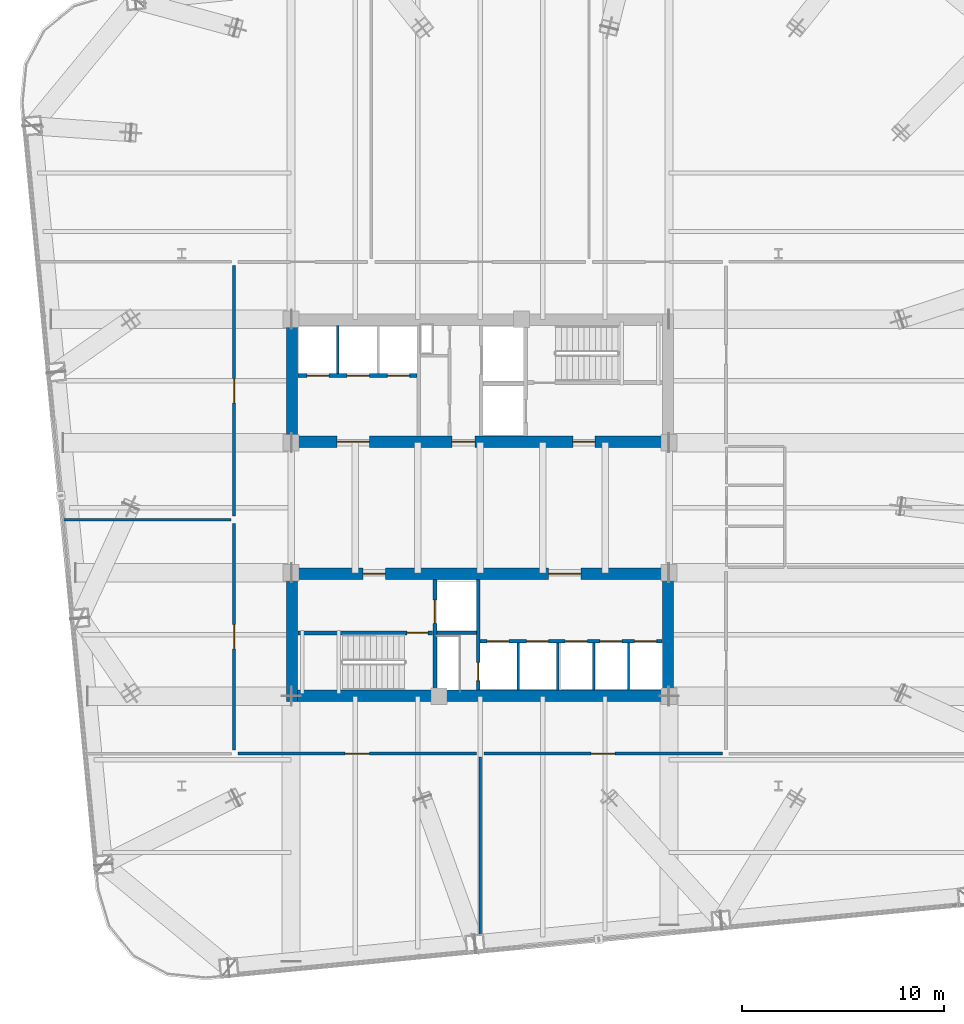
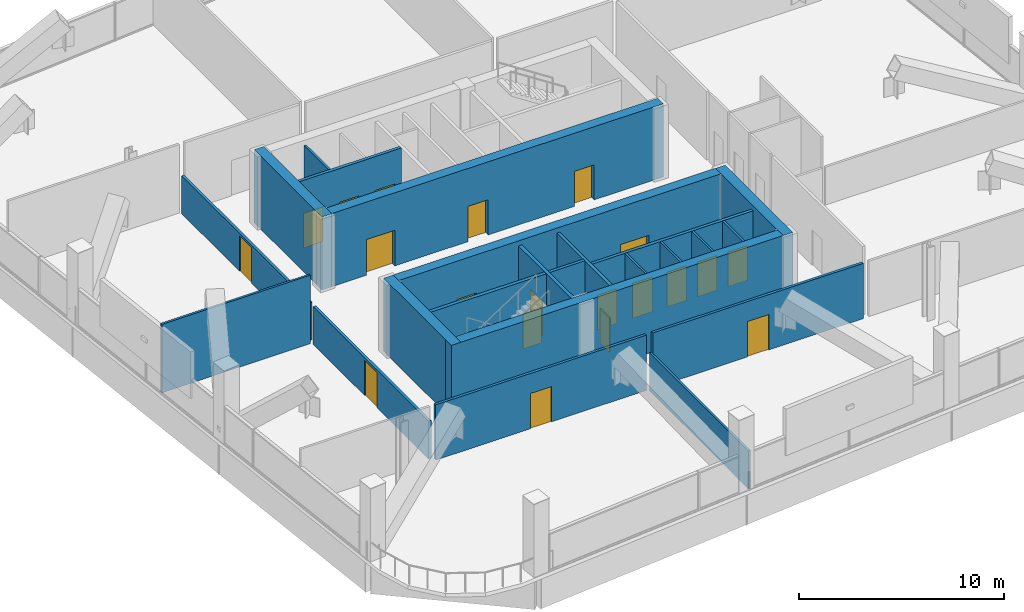
# One storey, part 25 of 30: 23 walls, 20 doors, 20 openings.
"""IFC4 building model written with IfcOpenShell, lengths in metres."""

from ifc_helpers import new_model, si_unit, direction, frame, frame_2d, origin, place, context, subcontext, project, spatial, rectangle, extrude, material, layer, layer_set, type_object, element, fill, save


model = new_model("IFC4")

# Units and contexts
model_context = context("Model", 3, precision=1e-05, world=origin(), true_north=direction((0.0, 1.0)))
body_context = subcontext(model_context, "Body", "Model", "MODEL_VIEW")
ifc_project = project(units=[si_unit("LENGTHUNIT", "METRE"), si_unit("AREAUNIT", "SQUARE_METRE"), si_unit("VOLUMEUNIT", "CUBIC_METRE"), si_unit("PLANEANGLEUNIT", "RADIAN"), si_unit("MASSUNIT", "GRAM", prefix="KILO")], contexts=[model_context])

# Site, building, storey
site_placement = place(None, origin())
site = spatial("IfcSite", under=ifc_project, at=site_placement, CompositionType="ELEMENT")
building_placement = place(site_placement, origin())
building = spatial("IfcBuilding", under=site, at=building_placement, Name="Qhalaya Broadcast Tower", CompositionType="ELEMENT")
storey_placement = place(building_placement, frame((0.0, 0.0, 96.89990234375)))
storey = spatial("IfcBuildingStorey", under=building, at=storey_placement, Name="L28", CompositionType="ELEMENT", Elevation=96.89990234375)

# Wall, opening, door
ifc_material_1 = material(Name="Gypsum Acoustic Partition")
ifc_layer_1 = layer(ifc_material_1, 0.14990234375, Name="Gypsum Acoustic Partition")
ifc_layer_set_1 = layer_set([ifc_layer_1], Name="Gypsum Acoustic Partition")
wall_type_1 = type_object("IfcWallType", Name="Corridor & Tenancy Acoustic Partition 150", PredefinedType="PARTITIONING", material=ifc_layer_set_1)
wall_1_placement = place(storey_placement, frame((-12.02001953125, -11.60009765625, 0.0), z_axis=(0.0, 0.0, 1.0), x_axis=(1.0, 0.0, 0.0)))
wall_1 = element("IfcWall", 1, at=wall_1_placement, inside=storey, type_object=wall_type_1, Name="L28 Partition Wall W-COR-04", PredefinedType="PARTITIONING", context=body_context, shape_type="SweptSolid", body=[
    extrude(rectangle(XDim=11.840087890625, YDim=0.14990234375, at=frame_2d((5.919921875, 0.0))), origin(), (0.0, 0.0, 1.0), 3.2880859375),
])
opening_1_placement = place(wall_1_placement, frame((5.320068359375, 0.0, 0.0)))
opening_1 = element("IfcOpeningElement", 2, at=opening_1_placement, cuts=wall_1, Name="Opening D11", PredefinedType="OPENING", context=body_context, shape_type="SweptSolid", body=[
    extrude(rectangle(XDim=1.199951171875, YDim=2.10009765625, at=frame_2d((0.60009765625, 1.050048828125))), frame((0.0, 0.0869140625, 0.0), z_axis=(0.0, -1.0, 0.0), x_axis=(1.0, 0.0, 0.0)), (0.0, 0.0, 1.0), 0.173828125),
])
ifc_material_2 = material(Name="Anodised Aluminium Glazed Door", Category="aluminium")
door_type_1 = type_object("IfcDoorType", Name="Conference, Boardroom & Studio Control Door D11", OperationType="NOTDEFINED", PredefinedType="DOOR", material=ifc_material_2)
door_1_placement = place(opening_1_placement, origin())
door_1 = element("IfcDoor", 3, at=door_1_placement, inside=storey, type_object=door_type_1, Name="L28 Door D-RM04", OperationType="SINGLE_SWING_LEFT", OverallHeight=2.10009765625, OverallWidth=1.199951171875, PredefinedType="DOOR", context=body_context, shape_type="SweptSolid", body=[
    extrude(rectangle(XDim=1.199951171875, YDim=2.10009765625, at=frame_2d((0.60009765625, 1.050048828125))), frame((0.0, 0.02490234375, 0.0), z_axis=(0.0, -1.0, 0.0), x_axis=(1.0, 0.0, 0.0)), (0.0, 0.0, 1.0), 0.050048828125),
])
fill(opening_1, door_1)

wall_2_placement = place(storey_placement, frame((0.179931640625, -11.60009765625, 0.0), z_axis=(0.0, 0.0, 1.0), x_axis=(1.0, 0.0, 0.0)))
wall_2 = element("IfcWall", 4, at=wall_2_placement, inside=storey, type_object=wall_type_1, Name="L28 Partition Wall W-COR-05", PredefinedType="PARTITIONING", context=body_context, shape_type="SweptSolid", body=[
    extrude(rectangle(XDim=11.840087890625, YDim=0.14990234375, at=frame_2d((5.919921875, 0.0))), origin(), (0.0, 0.0, 1.0), 3.2880859375),
])
opening_2_placement = place(wall_2_placement, frame((5.320068359375, 0.0, 0.0)))
opening_2 = element("IfcOpeningElement", 5, at=opening_2_placement, cuts=wall_2, Name="Opening D11", PredefinedType="OPENING", context=body_context, shape_type="SweptSolid", body=[
    extrude(rectangle(XDim=1.199951171875, YDim=2.10009765625, at=frame_2d((0.60009765625, 1.050048828125))), frame((0.0, 0.0869140625, 0.0), z_axis=(0.0, -1.0, 0.0), x_axis=(1.0, 0.0, 0.0)), (0.0, 0.0, 1.0), 0.173828125),
])
door_2_placement = place(opening_2_placement, origin())
door_2 = element("IfcDoor", 6, at=door_2_placement, inside=storey, type_object=door_type_1, Name="L28 Door D-RM05", OperationType="SINGLE_SWING_RIGHT", OverallHeight=2.10009765625, OverallWidth=1.199951171875, PredefinedType="DOOR", context=body_context, shape_type="SweptSolid", body=[
    extrude(rectangle(XDim=1.199951171875, YDim=2.10009765625, at=frame_2d((0.60009765625, 1.050048828125))), frame((0.0, 0.02490234375, 0.0), z_axis=(0.0, -1.0, 0.0), x_axis=(1.0, 0.0, 0.0)), (0.0, 0.0, 1.0), 0.050048828125),
])
fill(opening_2, door_2)

wall_3_placement = place(storey_placement, frame((-12.199951171875, -11.419921875, 0.0), z_axis=(0.0, 0.0, 1.0), x_axis=(0.0, 1.0, 0.0)))
wall_3 = element("IfcWall", 7, at=wall_3_placement, inside=storey, type_object=wall_type_1, Name="L28 Partition Wall W-COR-06", PredefinedType="PARTITIONING", context=body_context, shape_type="SweptSolid", body=[
    extrude(rectangle(XDim=11.239990234375, YDim=0.14990234375, at=frame_2d((5.6201171875, 0.0))), origin(), (0.0, 0.0, 1.0), 2.25),
])
opening_3_placement = place(wall_3_placement, frame((5.02001953125, 0.0, 0.0)))
opening_3 = element("IfcOpeningElement", 8, at=opening_3_placement, cuts=wall_3, Name="Opening D11", PredefinedType="OPENING", context=body_context, shape_type="SweptSolid", body=[
    extrude(rectangle(XDim=1.199951171875, YDim=2.10009765625, at=frame_2d((0.60009765625, 1.050048828125))), frame((0.0, 0.0869140625, 0.0), z_axis=(0.0, -1.0, 0.0), x_axis=(1.0, 0.0, 0.0)), (0.0, 0.0, 1.0), 0.173828125),
])
door_3_placement = place(opening_3_placement, origin())
door_3 = element("IfcDoor", 9, at=door_3_placement, inside=storey, type_object=door_type_1, Name="L28 Door D-RM06", OperationType="SINGLE_SWING_LEFT", OverallHeight=2.10009765625, OverallWidth=1.199951171875, PredefinedType="DOOR", context=body_context, shape_type="SweptSolid", body=[
    extrude(rectangle(XDim=1.199951171875, YDim=2.10009765625, at=frame_2d((0.60009765625, 1.050048828125))), frame((0.0, 0.02490234375, 0.0), z_axis=(0.0, -1.0, 0.0), x_axis=(1.0, 0.0, 0.0)), (0.0, 0.0, 1.0), 0.050048828125),
])
fill(opening_3, door_3)

wall_4_placement = place(storey_placement, frame((-12.199951171875, 0.179931640625, 0.0), z_axis=(0.0, 0.0, 1.0), x_axis=(0.0, 1.0, 0.0)))
wall_4 = element("IfcWall", 10, at=wall_4_placement, inside=storey, type_object=wall_type_1, Name="L28 Partition Wall W-COR-07", PredefinedType="PARTITIONING", context=body_context, shape_type="SweptSolid", body=[
    extrude(rectangle(XDim=12.440185546875, YDim=0.14990234375, at=frame_2d((6.22021484375, 0.0))), origin(), (0.0, 0.0, 1.0), 2.25),
])
opening_4_placement = place(wall_4_placement, frame((5.6201171875, 0.0, 0.0)))
opening_4 = element("IfcOpeningElement", 11, at=opening_4_placement, cuts=wall_4, Name="Opening D11", PredefinedType="OPENING", context=body_context, shape_type="SweptSolid", body=[
    extrude(rectangle(XDim=1.199951171875, YDim=2.10009765625, at=frame_2d((0.60009765625, 1.050048828125))), frame((0.0, 0.0869140625, 0.0), z_axis=(0.0, -1.0, 0.0), x_axis=(1.0, 0.0, 0.0)), (0.0, 0.0, 1.0), 0.173828125),
])
door_4_placement = place(opening_4_placement, origin())
door_4 = element("IfcDoor", 12, at=door_4_placement, inside=storey, type_object=door_type_1, Name="L28 Door D-RM07", OperationType="SINGLE_SWING_RIGHT", OverallHeight=2.10009765625, OverallWidth=1.199951171875, PredefinedType="DOOR", context=body_context, shape_type="SweptSolid", body=[
    extrude(rectangle(XDim=1.199951171875, YDim=2.10009765625, at=frame_2d((0.60009765625, 1.050048828125))), frame((0.0, 0.02490234375, 0.0), z_axis=(0.0, -1.0, 0.0), x_axis=(1.0, 0.0, 0.0)), (0.0, 0.0, 1.0), 0.050048828125),
])
fill(opening_4, door_4)

ifc_material_3 = material(Name="Concrete C50/60", Category="concrete")
ifc_layer_2 = layer(ifc_material_3, 0.199951171875, Name="Concrete C50/60")
ifc_layer_set_2 = layer_set([ifc_layer_2], Name="Concrete C50/60")
wall_type_2 = type_object("IfcWallType", Name="Load-Bearing Stair Shaft Wall 200", PredefinedType="SHEAR", material=ifc_layer_set_2)
wall_5_placement = place(storey_placement, frame((-9.030029296875, -5.60498046875, 0.0), z_axis=(0.0, 0.0, 1.0), x_axis=(1.0, 0.0, 0.0)))
wall_5 = element("IfcWall", 13, at=wall_5_placement, inside=storey, type_object=wall_type_2, Name="L28 Stair Core Shear Wall SCW-ST2", PredefinedType="SHEAR", context=body_context, shape_type="SweptSolid", body=[
    extrude(rectangle(XDim=6.669921875, YDim=0.199951171875, at=frame_2d((3.3349609375, 0.0))), origin(), (0.0, 0.0, 1.0), 4.070068359375),
])
opening_5_placement = place(wall_5_placement, frame((5.39990234375, 0.0, 0.0)))
opening_5 = element("IfcOpeningElement", 14, at=opening_5_placement, cuts=wall_5, Name="Opening D03", PredefinedType="OPENING", context=body_context, shape_type="SweptSolid", body=[
    extrude(rectangle(XDim=1.050048828125, YDim=2.080078125, at=frame_2d((0.52490234375, 1.0400390625))), frame((0.0, 0.112060546875, 0.0), z_axis=(0.0, -1.0, 0.0), x_axis=(1.0, 0.0, 0.0)), (0.0, 0.0, 1.0), 0.223876953125),
])
ifc_material_4 = material(Name="Fire-Rated Steel Door", Category="steel")
door_type_2 = type_object("IfcDoorType", Name="Core Stair Protected Fire Door D03", OperationType="NOTDEFINED", PredefinedType="DOOR", material=ifc_material_4)
door_5_placement = place(opening_5_placement, origin())
door_5 = element("IfcDoor", 15, at=door_5_placement, inside=storey, type_object=door_type_2, Name="L28 Door D-SST2", OperationType="SINGLE_SWING_RIGHT", OverallHeight=2.080078125, OverallWidth=1.050048828125, PredefinedType="DOOR", context=body_context, shape_type="SweptSolid", body=[
    extrude(rectangle(XDim=1.050048828125, YDim=2.080078125, at=frame_2d((0.52490234375, 1.0400390625))), frame((0.0, 0.02490234375, 0.0), z_axis=(0.0, -1.0, 0.0), x_axis=(1.0, 0.0, 0.0)), (0.0, 0.0, 1.0), 0.050048828125),
])
fill(opening_5, door_5)

wall_6_placement = place(storey_placement, frame((-2.25, -8.429931640625, 0.0), z_axis=(0.0, 0.0, 1.0), x_axis=(0.0, 1.0, 0.0)))
wall_6 = element("IfcWall", 16, at=wall_6_placement, inside=storey, type_object=wall_type_2, Name="L28 Stair Core Shear Wall SCW-FF", PredefinedType="SHEAR", context=body_context, shape_type="SweptSolid", body=[
    extrude(rectangle(XDim=5.4599609375, YDim=0.199951171875, at=frame_2d((2.72998046875, 0.0))), origin(), (0.0, 0.0, 1.0), 4.070068359375),
])
opening_6_placement = place(wall_6_placement, frame((3.300048828125, 0.0, 0.0)))
opening_6 = element("IfcOpeningElement", 17, at=opening_6_placement, cuts=wall_6, Name="Opening LD2", PredefinedType="OPENING", context=body_context, shape_type="SweptSolid", body=[
    extrude(rectangle(XDim=1.14990234375, YDim=2.080078125, at=frame_2d((0.574951171875, 1.0400390625))), frame((0.0, 0.112060546875, 0.0), z_axis=(0.0, -1.0, 0.0), x_axis=(1.0, 0.0, 0.0)), (0.0, 0.0, 1.0), 0.223876953125),
])
ifc_material_5 = material(Name="Brushed Stainless Steel Lift Door", Category="steel")
door_type_3 = type_object("IfcDoorType", Name="Firefighting Lift Sliding Landing Door LD2", OperationType="DOUBLE_DOOR_SLIDING", PredefinedType="DOOR", material=ifc_material_5)
door_6_placement = place(opening_6_placement, origin())
door_6 = element("IfcDoor", 18, at=door_6_placement, inside=storey, type_object=door_type_3, Name="L28 Door LD-FF2", OperationType="DOUBLE_DOOR_SLIDING", OverallHeight=2.080078125, OverallWidth=1.14990234375, PredefinedType="DOOR", context=body_context, shape_type="SweptSolid", body=[
    extrude(rectangle(XDim=1.14990234375, YDim=2.080078125, at=frame_2d((0.574951171875, 1.0400390625))), frame((0.0, 0.02490234375, 0.0), z_axis=(0.0, -1.0, 0.0), x_axis=(1.0, 0.0, 0.0)), (0.0, 0.0, 1.0), 0.050048828125),
])
fill(opening_6, door_6)

# Wall, openings, doors
ifc_material_6 = material(Name="Concrete C60/75", Category="concrete")
ifc_layer_3 = layer(ifc_material_6, 0.550048828125, Name="Concrete C60/75")
ifc_layer_set_3 = layer_set([ifc_layer_3], Name="Concrete C60/75")
wall_type_3 = type_object("IfcWallType", Name="Lower Split-Core Shear Wall 550", PredefinedType="SHEAR", material=ifc_layer_set_3)
wall_7_placement = place(storey_placement, frame((-9.60009765625, 3.875, 0.0), z_axis=(0.0, 0.0, 1.0), x_axis=(1.0, 0.0, 0.0)))
wall_7 = element("IfcWall", 19, at=wall_7_placement, inside=storey, type_object=wall_type_3, Name="L28 Split-Core Shear Wall CW-NS", PredefinedType="SHEAR", context=body_context, shape_type="SweptSolid", body=[
    extrude(rectangle(XDim=19.2001953125, YDim=0.550048828125, at=frame_2d((9.60009765625, 0.0))), origin(), (0.0, 0.0, 1.0), 4.35009765625),
])
opening_7_placement = place(wall_7_placement, frame((14.199951171875, 0.0, 0.0)))
opening_7 = element("IfcOpeningElement", 20, at=opening_7_placement, cuts=wall_7, Name="Opening D04", PredefinedType="OPENING", context=body_context, shape_type="SweptSolid", body=[
    extrude(rectangle(XDim=1.10009765625, YDim=2.080078125, at=frame_2d((0.550048828125, 1.0400390625))), frame((0.0, 0.287109375, 0.0), z_axis=(0.0, -1.0, 0.0), x_axis=(1.0, 0.0, 0.0)), (0.0, 0.0, 1.0), 0.573974609375),
])
opening_8_placement = place(wall_7_placement, frame((8.199951171875, 0.0, 0.0)))
opening_8 = element("IfcOpeningElement", 21, at=opening_8_placement, cuts=wall_7, Name="Opening D05", PredefinedType="OPENING", context=body_context, shape_type="SweptSolid", body=[
    extrude(rectangle(XDim=1.14990234375, YDim=2.10009765625, at=frame_2d((0.574951171875, 1.050048828125))), frame((0.0, 0.287109375, 0.0), z_axis=(0.0, -1.0, 0.0), x_axis=(1.0, 0.0, 0.0)), (0.0, 0.0, 1.0), 0.573974609375),
])
opening_9_placement = place(wall_7_placement, frame((2.5, 0.0, 0.0)))
opening_9 = element("IfcOpeningElement", 22, at=opening_9_placement, cuts=wall_7, Name="Opening D07", PredefinedType="OPENING", context=body_context, shape_type="SweptSolid", body=[
    extrude(rectangle(XDim=1.60009765625, YDim=2.1201171875, at=frame_2d((0.800048828125, 1.06005859375))), frame((0.0, 0.287109375, 0.0), z_axis=(0.0, -1.0, 0.0), x_axis=(1.0, 0.0, 0.0)), (0.0, 0.0, 1.0), 0.573974609375),
])
door_type_4 = type_object("IfcDoorType", Name="Firefighting Lobby Rated Door D04", OperationType="NOTDEFINED", PredefinedType="DOOR", material=ifc_material_4)
door_7_placement = place(opening_7_placement, origin())
door_7 = element("IfcDoor", 23, at=door_7_placement, inside=storey, type_object=door_type_4, Name="L28 Door D-NFF", OperationType="SINGLE_SWING_RIGHT", OverallHeight=2.080078125, OverallWidth=1.10009765625, PredefinedType="DOOR", context=body_context, shape_type="SweptSolid", body=[
    extrude(rectangle(XDim=1.10009765625, YDim=2.080078125, at=frame_2d((0.550048828125, 1.0400390625))), frame((0.0, 0.02490234375, 0.0), z_axis=(0.0, -1.0, 0.0), x_axis=(1.0, 0.0, 0.0)), (0.0, 0.0, 1.0), 0.050048828125),
])
fill(opening_7, door_7)
door_type_5 = type_object("IfcDoorType", Name="Passenger Lift Lobby Double Glazed Door D07", OperationType="DOUBLE_DOOR_SINGLE_SWING", PredefinedType="DOOR", material=ifc_material_2)
door_8_placement = place(opening_9_placement, origin())
door_8 = element("IfcDoor", 24, at=door_8_placement, inside=storey, type_object=door_type_5, Name="L28 Door D-NPLL", OperationType="DOUBLE_DOOR_SINGLE_SWING", OverallHeight=2.1201171875, OverallWidth=1.60009765625, PredefinedType="DOOR", context=body_context, shape_type="SweptSolid", body=[
    extrude(rectangle(XDim=1.60009765625, YDim=2.1201171875, at=frame_2d((0.800048828125, 1.06005859375))), frame((0.0, 0.02490234375, 0.0), z_axis=(0.0, -1.0, 0.0), x_axis=(1.0, 0.0, 0.0)), (0.0, 0.0, 1.0), 0.050048828125),
])
fill(opening_9, door_8)
door_type_6 = type_object("IfcDoorType", Name="Refuge & Plant Room Fire Door D05", OperationType="NOTDEFINED", PredefinedType="DOOR", material=ifc_material_4)
door_9_placement = place(opening_8_placement, origin())
door_9 = element("IfcDoor", 25, at=door_9_placement, inside=storey, type_object=door_type_6, Name="L28 Door D-NSVL", OperationType="SINGLE_SWING_LEFT", OverallHeight=2.10009765625, OverallWidth=1.14990234375, PredefinedType="DOOR", context=body_context, shape_type="SweptSolid", body=[
    extrude(rectangle(XDim=1.14990234375, YDim=2.10009765625, at=frame_2d((0.574951171875, 1.050048828125))), frame((0.0, 0.02490234375, 0.0), z_axis=(0.0, -1.0, 0.0), x_axis=(1.0, 0.0, 0.0)), (0.0, 0.0, 1.0), 0.050048828125),
])
fill(opening_8, door_9)

# Walls
wall_8_placement = place(storey_placement, frame((-9.324951171875, 3.60009765625, 0.0), z_axis=(0.0, 0.0, 1.0), x_axis=(0.0, 1.0, 0.0)))
element("IfcWall", 26, at=wall_8_placement, inside=storey, type_object=wall_type_3, Name="L28 Split-Core Shear Wall CW-NW", PredefinedType="SHEAR", context=body_context, shape_type="SweptSolid", body=[
    extrude(rectangle(XDim=6.599853515625, YDim=0.550048828125, at=frame_2d((3.2998046875, 0.0))), origin(), (0.0, 0.0, 1.0), 4.35009765625),
])
wall_9_placement = place(storey_placement, frame((-9.60009765625, -8.72509765625, 0.0), z_axis=(0.0, 0.0, 1.0), x_axis=(1.0, 0.0, 0.0)))
element("IfcWall", 27, at=wall_9_placement, inside=storey, type_object=wall_type_3, Name="L28 Split-Core Shear Wall CW-SS", PredefinedType="SHEAR", context=body_context, shape_type="SweptSolid", body=[
    extrude(rectangle(XDim=19.2001953125, YDim=0.550048828125, at=frame_2d((9.60009765625, 0.0))), origin(), (0.0, 0.0, 1.0), 4.35009765625),
])

# Wall, openings, doors
wall_10_placement = place(storey_placement, frame((-9.60009765625, -2.675048828125, 0.0), z_axis=(0.0, 0.0, 1.0), x_axis=(1.0, 0.0, 0.0)))
wall_10 = element("IfcWall", 28, at=wall_10_placement, inside=storey, type_object=wall_type_3, Name="L28 Split-Core Shear Wall CW-SN", PredefinedType="SHEAR", context=body_context, shape_type="SweptSolid", body=[
    extrude(rectangle(XDim=19.2001953125, YDim=0.550048828125, at=frame_2d((9.60009765625, 0.0))), origin(), (0.0, 0.0, 1.0), 4.35009765625),
])
opening_10_placement = place(wall_10_placement, frame((3.800048828125, 0.0, 0.0)))
opening_10 = element("IfcOpeningElement", 29, at=opening_10_placement, cuts=wall_10, Name="Opening D04", PredefinedType="OPENING", context=body_context, shape_type="SweptSolid", body=[
    extrude(rectangle(XDim=1.10009765625, YDim=2.080078125, at=frame_2d((0.550048828125, 1.0400390625))), frame((0.0, 0.287109375, 0.0), z_axis=(0.0, -1.0, 0.0), x_axis=(1.0, 0.0, 0.0)), (0.0, 0.0, 1.0), 0.573974609375),
])
opening_11_placement = place(wall_10_placement, frame((13.0, 0.0, 0.0)))
opening_11 = element("IfcOpeningElement", 30, at=opening_11_placement, cuts=wall_10, Name="Opening D07", PredefinedType="OPENING", context=body_context, shape_type="SweptSolid", body=[
    extrude(rectangle(XDim=1.60009765625, YDim=2.1201171875, at=frame_2d((0.800048828125, 1.06005859375))), frame((0.0, 0.287109375, 0.0), z_axis=(0.0, -1.0, 0.0), x_axis=(1.0, 0.0, 0.0)), (0.0, 0.0, 1.0), 0.573974609375),
])
door_10_placement = place(opening_10_placement, origin())
door_10 = element("IfcDoor", 31, at=door_10_placement, inside=storey, type_object=door_type_4, Name="L28 Door D-SFF", OperationType="SINGLE_SWING_LEFT", OverallHeight=2.080078125, OverallWidth=1.10009765625, PredefinedType="DOOR", context=body_context, shape_type="SweptSolid", body=[
    extrude(rectangle(XDim=1.10009765625, YDim=2.080078125, at=frame_2d((0.550048828125, 1.0400390625))), frame((0.0, 0.02490234375, 0.0), z_axis=(0.0, -1.0, 0.0), x_axis=(1.0, 0.0, 0.0)), (0.0, 0.0, 1.0), 0.050048828125),
])
fill(opening_10, door_10)
door_11_placement = place(opening_11_placement, origin())
door_11 = element("IfcDoor", 32, at=door_11_placement, inside=storey, type_object=door_type_5, Name="L28 Door D-SPLL", OperationType="DOUBLE_DOOR_SINGLE_SWING", OverallHeight=2.1201171875, OverallWidth=1.60009765625, PredefinedType="DOOR", context=body_context, shape_type="SweptSolid", body=[
    extrude(rectangle(XDim=1.60009765625, YDim=2.1201171875, at=frame_2d((0.800048828125, 1.06005859375))), frame((0.0, 0.02490234375, 0.0), z_axis=(0.0, -1.0, 0.0), x_axis=(1.0, 0.0, 0.0)), (0.0, 0.0, 1.0), 0.050048828125),
])
fill(opening_11, door_11)

# Walls
for number, where, z_axis, x_axis, name in (
    (33, (-9.324951171875, -9.0, 0.0), (0.0, 0.0, 1.0), (0.0, 1.0, 0.0), "L28 Split-Core Shear Wall CW-SW"),
    (34, (9.324951171875, -9.0, 0.0), (0.0, 0.0, 1.0), (0.0, 1.0, 0.0), "L28 Split-Core Shear Wall CW-SE"),
):
    element("IfcWall", number, at=place(storey_placement, frame(where, z_axis=z_axis, x_axis=x_axis)), inside=storey, type_object=wall_type_3, Name=name, PredefinedType="SHEAR", context=body_context, shape_type="SweptSolid", body=[
        extrude(rectangle(XDim=6.60009765625, YDim=0.550048828125, at=frame_2d((3.300048828125, 0.0))), origin(), (0.0, 0.0, 1.0), 4.35009765625),
    ])
ifc_layer_4 = layer(ifc_material_1, 0.1201171875, Name="Gypsum Acoustic Partition")
ifc_layer_set_4 = layer_set([ifc_layer_4], Name="Gypsum Acoustic Partition")
wall_type_4 = type_object("IfcWallType", Name="Office, Booth & Sanitary Partition 120", PredefinedType="PARTITIONING", material=ifc_layer_set_4)
wall_11_placement = place(storey_placement, frame((-7.06005859375, 7.25, 0.0), z_axis=(0.0, 0.0, 1.0), x_axis=(0.0, 1.0, 0.0)))
element("IfcWall", 35, at=wall_11_placement, inside=storey, type_object=wall_type_4, Name="L28 Partition Wall NCW-PD1", PredefinedType="PARTITIONING", context=body_context, shape_type="SweptSolid", body=[
    extrude(rectangle(XDim=2.3798828125, YDim=0.1201171875, at=frame_2d((1.18994140625, 0.0))), origin(), (0.0, 0.0, 1.0), 4.070068359375),
])
for number, where, z_axis, x_axis, name in (
    (36, (1.8798828125, -8.429931640625, 0.0), (0.0, 0.0, 1.0), (0.0, 1.0, 0.0), "L28 Partition Wall SCW-MD4"),
    (37, (3.85009765625, -8.429931640625, 0.0), (0.0, 0.0, 1.0), (0.0, 1.0, 0.0), "L28 Partition Wall SCW-MD5"),
    (38, (5.639892578125, -8.429931640625, 0.0), (0.0, 0.0, 1.0), (0.0, 1.0, 0.0), "L28 Partition Wall SCW-HD6"),
    (39, (7.360107421875, -8.429931640625, 0.0), (0.0, 0.0, 1.0), (0.0, 1.0, 0.0), "L28 Partition Wall SCW-HD7"),
):
    element("IfcWall", number, at=place(storey_placement, frame(where, z_axis=z_axis, x_axis=x_axis)), inside=storey, type_object=wall_type_4, Name=name, PredefinedType="PARTITIONING", context=body_context, shape_type="SweptSolid", body=[
        extrude(rectangle(XDim=2.329833984375, YDim=0.1201171875, at=frame_2d((1.1650390625, 0.0))), origin(), (0.0, 0.0, 1.0), 4.070068359375),
    ])
wall_12_placement = place(storey_placement, frame((0.0, -21.39404296875, 0.0), z_axis=(0.0, 0.0, 1.0), x_axis=(0.0, 1.0, 0.0)))
element("IfcWall", 40, at=wall_12_placement, inside=storey, type_object=wall_type_4, Name="L28 Partition Wall W-DIVS1", PredefinedType="PARTITIONING", context=body_context, shape_type="SweptSolid", body=[
    extrude(rectangle(XDim=9.634033203125, YDim=0.1201171875, at=frame_2d((4.81689453125, 0.0))), origin(), (0.0, 0.0, 1.0), 2.25),
])
wall_13_placement = place(storey_placement, frame((-20.71240234375, 0.0, 0.0), z_axis=(0.0, 0.0, 1.0), x_axis=(1.0, 0.0, 0.0)))
element("IfcWall", 41, at=wall_13_placement, inside=storey, type_object=wall_type_4, Name="L28 Partition Wall W-DIVW1", PredefinedType="PARTITIONING", context=body_context, shape_type="SweptSolid", body=[
    extrude(rectangle(XDim=8.352294921875, YDim=0.1201171875, at=frame_2d((4.17626953125, 0.0))), origin(), (0.0, 0.0, 1.0), 4.070068359375),
])

# Wall, openings, doors
ifc_layer_5 = layer(ifc_material_1, 0.175048828125, Name="Gypsum Acoustic Partition")
ifc_layer_set_5 = layer_set([ifc_layer_5], Name="Gypsum Acoustic Partition")
wall_type_5 = type_object("IfcWallType", Name="Shaft & Riser Fire Partition 175", PredefinedType="PARTITIONING", material=ifc_layer_set_5)
wall_14_placement = place(storey_placement, frame((-9.030029296875, 7.159912109375, 0.0), z_axis=(0.0, 0.0, 1.0), x_axis=(1.0, 0.0, 0.0)))
wall_14 = element("IfcWall", 42, at=wall_14_placement, inside=storey, type_object=wall_type_5, Name="L28 Partition Wall NCW-PLB", PredefinedType="PARTITIONING", context=body_context, shape_type="SweptSolid", body=[
    extrude(rectangle(XDim=5.909912109375, YDim=0.175048828125, at=frame_2d((2.955078125, 0.0))), origin(), (0.0, 0.0, 1.0), 4.070068359375),
])
opening_12_placement = place(wall_14_placement, frame((0.429931640625, 0.0, 0.0)))
opening_12 = element("IfcOpeningElement", 43, at=opening_12_placement, cuts=wall_14, Name="Opening LD1", PredefinedType="OPENING", context=body_context, shape_type="SweptSolid", body=[
    extrude(rectangle(XDim=1.10009765625, YDim=2.06005859375, at=frame_2d((0.550048828125, 1.030029296875))), frame((0.0, 0.099609375, 0.0), z_axis=(0.0, -1.0, 0.0), x_axis=(1.0, 0.0, 0.0)), (0.0, 0.0, 1.0), 0.198974609375),
])
opening_13_placement = place(wall_14_placement, frame((2.429931640625, 0.0, 0.0)))
opening_13 = element("IfcOpeningElement", 44, at=opening_13_placement, cuts=wall_14, Name="Opening LD1", PredefinedType="OPENING", context=body_context, shape_type="SweptSolid", body=[
    extrude(rectangle(XDim=1.10009765625, YDim=2.06005859375, at=frame_2d((0.550048828125, 1.030029296875))), frame((0.0, 0.099609375, 0.0), z_axis=(0.0, -1.0, 0.0), x_axis=(1.0, 0.0, 0.0)), (0.0, 0.0, 1.0), 0.198974609375),
])
opening_14_placement = place(wall_14_placement, frame((4.429931640625, 0.0, 0.0)))
opening_14 = element("IfcOpeningElement", 45, at=opening_14_placement, cuts=wall_14, Name="Opening LD1", PredefinedType="OPENING", context=body_context, shape_type="SweptSolid", body=[
    extrude(rectangle(XDim=1.10009765625, YDim=2.06005859375, at=frame_2d((0.550048828125, 1.030029296875))), frame((0.0, 0.099609375, 0.0), z_axis=(0.0, -1.0, 0.0), x_axis=(1.0, 0.0, 0.0)), (0.0, 0.0, 1.0), 0.198974609375),
])
door_type_7 = type_object("IfcDoorType", Name="Passenger Lift Sliding Landing Door LD1", OperationType="DOUBLE_DOOR_SLIDING", PredefinedType="DOOR", material=ifc_material_5)
door_12_placement = place(opening_12_placement, origin())
door_12 = element("IfcDoor", 46, at=door_12_placement, inside=storey, type_object=door_type_7, Name="L28 Door LD-P1", OperationType="DOUBLE_DOOR_SLIDING", OverallHeight=2.06005859375, OverallWidth=1.10009765625, PredefinedType="DOOR", context=body_context, shape_type="SweptSolid", body=[
    extrude(rectangle(XDim=1.10009765625, YDim=2.06005859375, at=frame_2d((0.550048828125, 1.030029296875))), frame((0.0, 0.02490234375, 0.0), z_axis=(0.0, -1.0, 0.0), x_axis=(1.0, 0.0, 0.0)), (0.0, 0.0, 1.0), 0.050048828125),
])
fill(opening_12, door_12)
door_13_placement = place(opening_13_placement, origin())
door_13 = element("IfcDoor", 47, at=door_13_placement, inside=storey, type_object=door_type_7, Name="L28 Door LD-P2", OperationType="DOUBLE_DOOR_SLIDING", OverallHeight=2.06005859375, OverallWidth=1.10009765625, PredefinedType="DOOR", context=body_context, shape_type="SweptSolid", body=[
    extrude(rectangle(XDim=1.10009765625, YDim=2.06005859375, at=frame_2d((0.550048828125, 1.030029296875))), frame((0.0, 0.02490234375, 0.0), z_axis=(0.0, -1.0, 0.0), x_axis=(1.0, 0.0, 0.0)), (0.0, 0.0, 1.0), 0.050048828125),
])
fill(opening_13, door_13)
door_14_placement = place(opening_14_placement, origin())
door_14 = element("IfcDoor", 48, at=door_14_placement, inside=storey, type_object=door_type_7, Name="L28 Door LD-P3", OperationType="DOUBLE_DOOR_SLIDING", OverallHeight=2.06005859375, OverallWidth=1.10009765625, PredefinedType="DOOR", context=body_context, shape_type="SweptSolid", body=[
    extrude(rectangle(XDim=1.10009765625, YDim=2.06005859375, at=frame_2d((0.550048828125, 1.030029296875))), frame((0.0, 0.02490234375, 0.0), z_axis=(0.0, -1.0, 0.0), x_axis=(1.0, 0.0, 0.0)), (0.0, 0.0, 1.0), 0.050048828125),
])
fill(opening_14, door_14)

# Wall, opening, door
wall_15_placement = place(storey_placement, frame((-0.10009765625, -8.429931640625, 0.0), z_axis=(0.0, 0.0, 1.0), x_axis=(0.0, 1.0, 0.0)))
wall_15 = element("IfcWall", 49, at=wall_15_placement, inside=storey, type_object=wall_type_5, Name="L28 Partition Wall SCW-FFE", PredefinedType="PARTITIONING", context=body_context, shape_type="SweptSolid", body=[
    extrude(rectangle(XDim=5.4599609375, YDim=0.175048828125, at=frame_2d((2.72998046875, 0.0))), origin(), (0.0, 0.0, 1.0), 4.070068359375),
])
opening_15_placement = place(wall_15_placement, frame((0.449951171875, 0.0, 0.0)))
opening_15 = element("IfcOpeningElement", 50, at=opening_15_placement, cuts=wall_15, Name="Opening D06", PredefinedType="OPENING", context=body_context, shape_type="SweptSolid", body=[
    extrude(rectangle(XDim=0.89990234375, YDim=2.050048828125, at=frame_2d((0.449951171875, 1.02490234375))), frame((0.0, 0.099609375, 0.0), z_axis=(0.0, -1.0, 0.0), x_axis=(1.0, 0.0, 0.0)), (0.0, 0.0, 1.0), 0.198974609375),
])
door_type_8 = type_object("IfcDoorType", Name="Riser & Electrical Shaft Access Door D06", OperationType="NOTDEFINED", PredefinedType="DOOR", material=ifc_material_4)
door_15_placement = place(opening_15_placement, origin())
door_15 = element("IfcDoor", 51, at=door_15_placement, inside=storey, type_object=door_type_8, Name="L28 Riser Shaft Access Door D-SRSR", OperationType="SINGLE_SWING_LEFT", OverallHeight=2.050048828125, OverallWidth=0.89990234375, PredefinedType="DOOR", context=body_context, shape_type="SweptSolid", body=[
    extrude(rectangle(XDim=0.89990234375, YDim=2.050048828125, at=frame_2d((0.449951171875, 1.02490234375))), frame((0.0, 0.02490234375, 0.0), z_axis=(0.0, -1.0, 0.0), x_axis=(1.0, 0.0, 0.0)), (0.0, 0.0, 1.0), 0.050048828125),
])
fill(opening_15, door_15)

# Wall
wall_16_placement = place(storey_placement, frame((-2.14990234375, -5.60009765625, 0.0), z_axis=(0.0, 0.0, 1.0), x_axis=(1.0, 0.0, 0.0)))
element("IfcWall", 52, at=wall_16_placement, inside=storey, type_object=wall_type_5, Name="L28 Partition Wall SCW-FFM", PredefinedType="PARTITIONING", context=body_context, shape_type="SweptSolid", body=[
    extrude(rectangle(XDim=1.969970703125, YDim=0.175048828125, at=frame_2d((0.98486328125, 0.0))), origin(), (0.0, 0.0, 1.0), 4.070068359375),
])

# Wall, openings, doors
wall_17_placement = place(storey_placement, frame((0.0, -6.02001953125, 0.0), z_axis=(0.0, 0.0, 1.0), x_axis=(1.0, 0.0, 0.0)))
wall_17 = element("IfcWall", 53, at=wall_17_placement, inside=storey, type_object=wall_type_5, Name="L28 Partition Wall SCW-SLB", PredefinedType="PARTITIONING", context=body_context, shape_type="SweptSolid", body=[
    extrude(rectangle(XDim=9.030029296875, YDim=0.175048828125, at=frame_2d((4.51513671875, 0.0))), origin(), (0.0, 0.0, 1.0), 4.070068359375),
])
opening_16_placement = place(wall_17_placement, frame((0.330078125, 0.0, 0.0)))
opening_16 = element("IfcOpeningElement", 54, at=opening_16_placement, cuts=wall_17, Name="Opening LD1", PredefinedType="OPENING", context=body_context, shape_type="SweptSolid", body=[
    extrude(rectangle(XDim=1.10009765625, YDim=2.06005859375, at=frame_2d((0.550048828125, 1.030029296875))), frame((0.0, 0.099609375, 0.0), z_axis=(0.0, -1.0, 0.0), x_axis=(1.0, 0.0, 0.0)), (0.0, 0.0, 1.0), 0.198974609375),
])
opening_17_placement = place(wall_17_placement, frame((2.300048828125, 0.0, 0.0)))
opening_17 = element("IfcOpeningElement", 55, at=opening_17_placement, cuts=wall_17, Name="Opening LD1", PredefinedType="OPENING", context=body_context, shape_type="SweptSolid", body=[
    extrude(rectangle(XDim=1.10009765625, YDim=2.06005859375, at=frame_2d((0.550048828125, 1.030029296875))), frame((0.0, 0.099609375, 0.0), z_axis=(0.0, -1.0, 0.0), x_axis=(1.0, 0.0, 0.0)), (0.0, 0.0, 1.0), 0.198974609375),
])
opening_18_placement = place(wall_17_placement, frame((4.219970703125, 0.0, 0.0)))
opening_18 = element("IfcOpeningElement", 56, at=opening_18_placement, cuts=wall_17, Name="Opening LD1", PredefinedType="OPENING", context=body_context, shape_type="SweptSolid", body=[
    extrude(rectangle(XDim=1.10009765625, YDim=2.06005859375, at=frame_2d((0.550048828125, 1.030029296875))), frame((0.0, 0.099609375, 0.0), z_axis=(0.0, -1.0, 0.0), x_axis=(1.0, 0.0, 0.0)), (0.0, 0.0, 1.0), 0.198974609375),
])
opening_19_placement = place(wall_17_placement, frame((5.93994140625, 0.0, 0.0)))
opening_19 = element("IfcOpeningElement", 57, at=opening_19_placement, cuts=wall_17, Name="Opening LD1", PredefinedType="OPENING", context=body_context, shape_type="SweptSolid", body=[
    extrude(rectangle(XDim=1.10009765625, YDim=2.06005859375, at=frame_2d((0.550048828125, 1.030029296875))), frame((0.0, 0.099609375, 0.0), z_axis=(0.0, -1.0, 0.0), x_axis=(1.0, 0.0, 0.0)), (0.0, 0.0, 1.0), 0.198974609375),
])
opening_20_placement = place(wall_17_placement, frame((7.659912109375, 0.0, 0.0)))
opening_20 = element("IfcOpeningElement", 58, at=opening_20_placement, cuts=wall_17, Name="Opening LD1", PredefinedType="OPENING", context=body_context, shape_type="SweptSolid", body=[
    extrude(rectangle(XDim=1.10009765625, YDim=2.06005859375, at=frame_2d((0.550048828125, 1.030029296875))), frame((0.0, 0.099609375, 0.0), z_axis=(0.0, -1.0, 0.0), x_axis=(1.0, 0.0, 0.0)), (0.0, 0.0, 1.0), 0.198974609375),
])
door_16_placement = place(opening_16_placement, origin())
door_16 = element("IfcDoor", 59, at=door_16_placement, inside=storey, type_object=door_type_7, Name="L28 Door LD-P4", OperationType="DOUBLE_DOOR_SLIDING", OverallHeight=2.06005859375, OverallWidth=1.10009765625, PredefinedType="DOOR", context=body_context, shape_type="SweptSolid", body=[
    extrude(rectangle(XDim=1.10009765625, YDim=2.06005859375, at=frame_2d((0.550048828125, 1.030029296875))), frame((0.0, 0.02490234375, 0.0), z_axis=(0.0, -1.0, 0.0), x_axis=(1.0, 0.0, 0.0)), (0.0, 0.0, 1.0), 0.050048828125),
])
fill(opening_16, door_16)
door_17_placement = place(opening_17_placement, origin())
door_17 = element("IfcDoor", 60, at=door_17_placement, inside=storey, type_object=door_type_7, Name="L28 Door LD-P5", OperationType="DOUBLE_DOOR_SLIDING", OverallHeight=2.06005859375, OverallWidth=1.10009765625, PredefinedType="DOOR", context=body_context, shape_type="SweptSolid", body=[
    extrude(rectangle(XDim=1.10009765625, YDim=2.06005859375, at=frame_2d((0.550048828125, 1.030029296875))), frame((0.0, 0.02490234375, 0.0), z_axis=(0.0, -1.0, 0.0), x_axis=(1.0, 0.0, 0.0)), (0.0, 0.0, 1.0), 0.050048828125),
])
fill(opening_17, door_17)
door_18_placement = place(opening_18_placement, origin())
door_18 = element("IfcDoor", 61, at=door_18_placement, inside=storey, type_object=door_type_7, Name="L28 Door LD-P6", OperationType="DOUBLE_DOOR_SLIDING", OverallHeight=2.06005859375, OverallWidth=1.10009765625, PredefinedType="DOOR", context=body_context, shape_type="SweptSolid", body=[
    extrude(rectangle(XDim=1.10009765625, YDim=2.06005859375, at=frame_2d((0.550048828125, 1.030029296875))), frame((0.0, 0.02490234375, 0.0), z_axis=(0.0, -1.0, 0.0), x_axis=(1.0, 0.0, 0.0)), (0.0, 0.0, 1.0), 0.050048828125),
])
fill(opening_18, door_18)
door_19_placement = place(opening_19_placement, origin())
door_19 = element("IfcDoor", 62, at=door_19_placement, inside=storey, type_object=door_type_7, Name="L28 Door LD-P7", OperationType="DOUBLE_DOOR_SLIDING", OverallHeight=2.06005859375, OverallWidth=1.10009765625, PredefinedType="DOOR", context=body_context, shape_type="SweptSolid", body=[
    extrude(rectangle(XDim=1.10009765625, YDim=2.06005859375, at=frame_2d((0.550048828125, 1.030029296875))), frame((0.0, 0.02490234375, 0.0), z_axis=(0.0, -1.0, 0.0), x_axis=(1.0, 0.0, 0.0)), (0.0, 0.0, 1.0), 0.050048828125),
])
fill(opening_19, door_19)
door_20_placement = place(opening_20_placement, origin())
door_20 = element("IfcDoor", 63, at=door_20_placement, inside=storey, type_object=door_type_7, Name="L28 Door LD-P8", OperationType="DOUBLE_DOOR_SLIDING", OverallHeight=2.06005859375, OverallWidth=1.10009765625, PredefinedType="DOOR", context=body_context, shape_type="SweptSolid", body=[
    extrude(rectangle(XDim=1.10009765625, YDim=2.06005859375, at=frame_2d((0.550048828125, 1.030029296875))), frame((0.0, 0.02490234375, 0.0), z_axis=(0.0, -1.0, 0.0), x_axis=(1.0, 0.0, 0.0)), (0.0, 0.0, 1.0), 0.050048828125),
])
fill(opening_20, door_20)

save(model, "model.ifc")
